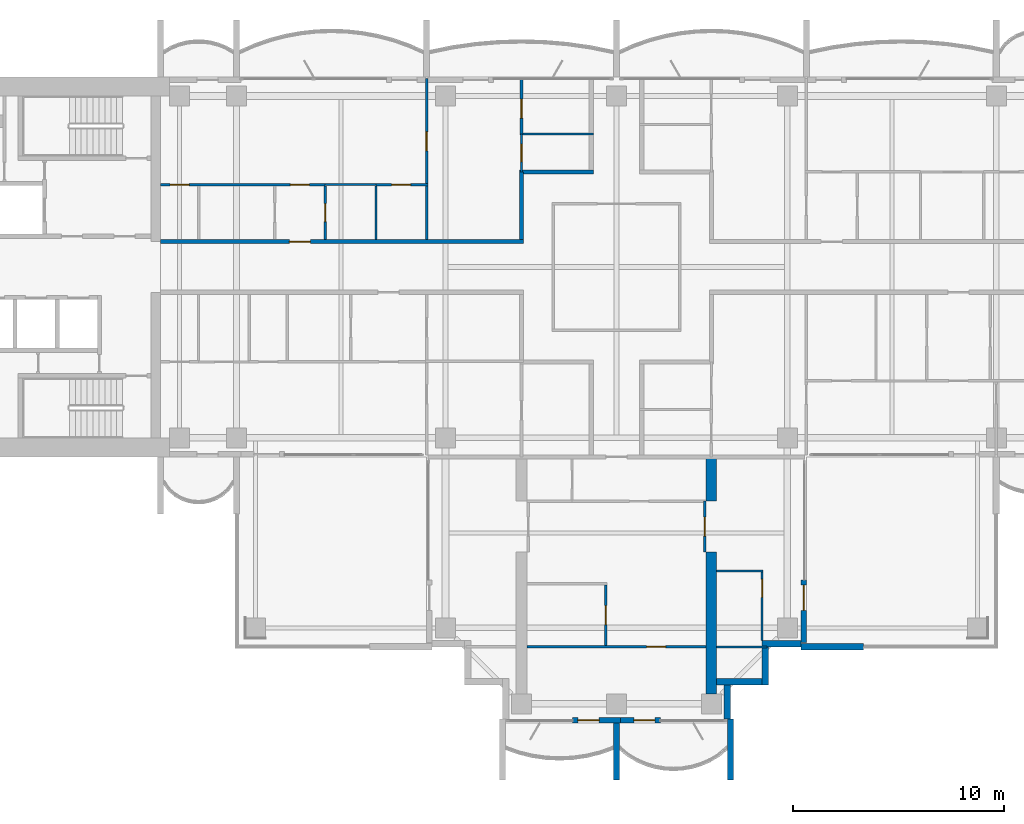
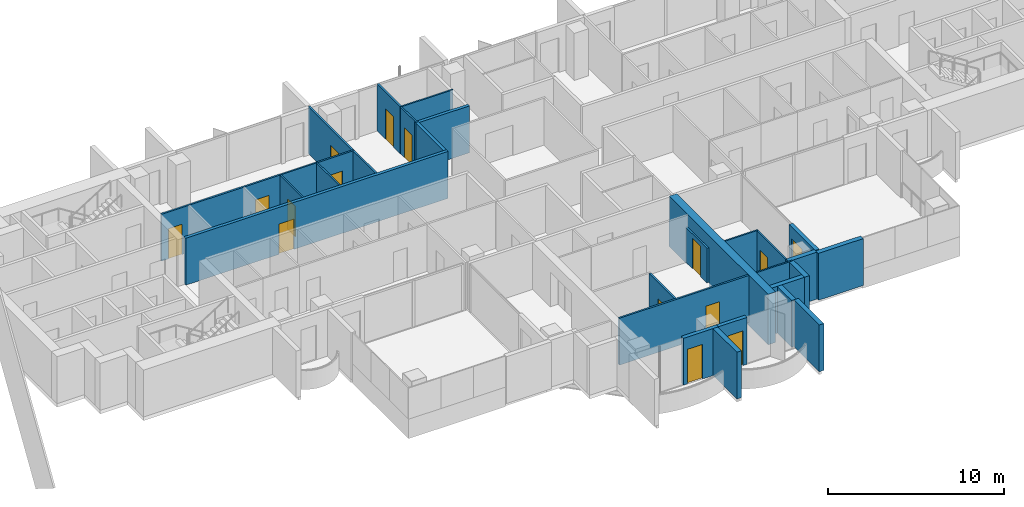
# One storey, part 10 of 18: 29 walls, 15 doors, 15 openings.
"""IFC4 building model written with IfcOpenShell, lengths in metres."""

from ifc_helpers import new_model, si_unit, direction, frame, frame_2d, origin, place, context, subcontext, project, spatial, polyline, rectangle, outline, extrude, material, layer, layer_set, material_profile, profile_set, type_object, element, fill, save


model = new_model("IFC4")

# Units and contexts
model_context = context("Model", 3, precision=1e-05, world=origin(), true_north=direction((0.0, 1.0)))
body_context = subcontext(model_context, "Body", "Model", "MODEL_VIEW")
ifc_project = project(units=[si_unit("LENGTHUNIT", "METRE"), si_unit("AREAUNIT", "SQUARE_METRE"), si_unit("VOLUMEUNIT", "CUBIC_METRE"), si_unit("PLANEANGLEUNIT", "RADIAN"), si_unit("MASSUNIT", "GRAM", prefix="KILO")], contexts=[model_context])

# Site, building, storey
site_placement = place(None, origin())
site = spatial("IfcSite", under=ifc_project, at=site_placement, CompositionType="ELEMENT")
building_placement = place(site_placement, origin())
building = spatial("IfcBuilding", under=site, at=building_placement, Name="Perihelion Cross Residences", CompositionType="ELEMENT")
storey_placement = place(building_placement, frame((0.0, 0.0, 215.60009765625)))
storey = spatial("IfcBuildingStorey", under=building, at=storey_placement, Name="L54", CompositionType="ELEMENT", Elevation=215.60009765625)

# Wall, opening, door
ifc_material_1 = material(Name="Plasterboard partition")
ifc_layer_1 = layer(ifc_material_1, 0.199951171875)
ifc_layer_set_1 = layer_set([ifc_layer_1], Name="Apartment separation wall 200")
wall_type_1 = type_object("IfcWallType", Name="Apartment separation wall 200", PredefinedType="PARTITIONING", material=ifc_layer_set_1)
wall_1_placement = place(storey_placement, frame((-21.60009765625, 1.199951171875, 0.0), z_axis=(0.0, 0.0, 1.0), x_axis=(1.0, 0.0, 0.0)))
wall_1 = element("IfcWall", 1, at=wall_1_placement, inside=storey, type_object=wall_type_1, Name="Partition L54 W013", PredefinedType="PARTITIONING", context=body_context, shape_type="SweptSolid", body=[
    extrude(rectangle(XDim=17.2001953125, YDim=0.199951171875, at=frame_2d((8.60009765625, 0.0))), origin(), (0.0, 0.0, 1.0), 3.25),
])
opening_1_placement = place(wall_1_placement, frame((6.10009765625, 0.0, 0.0)))
opening_1 = element("IfcOpeningElement", 2, at=opening_1_placement, cuts=wall_1, Name="Opening L54.A43", PredefinedType="OPENING", context=body_context, shape_type="SweptSolid", body=[
    extrude(rectangle(XDim=1.0, YDim=2.10009765625, at=frame_2d((0.5, 1.050048828125))), frame((0.0, 0.10986328125, 0.0), z_axis=(0.0, -1.0, 0.0), x_axis=(1.0, 0.0, 0.0)), (0.0, 0.0, 1.0), 0.219970703125),
])
ifc_material_2 = material(Name="Timber door leaf", Category="wood")
door_type_1 = type_object("IfcDoorType", Name="Flat entrance door 1000 x 2100", OperationType="SINGLE_SWING_LEFT", PredefinedType="DOOR", material=ifc_material_2)
door_1_placement = place(opening_1_placement, origin())
door_1 = element("IfcDoor", 3, at=door_1_placement, inside=storey, type_object=door_type_1, Name="Door L54.A43", OperationType="SINGLE_SWING_LEFT", OverallHeight=2.10009765625, OverallWidth=1.0, PredefinedType="DOOR", context=body_context, shape_type="SweptSolid", body=[
    extrude(rectangle(XDim=1.0, YDim=2.10009765625, at=frame_2d((0.5, 1.050048828125))), frame((0.0, 0.02490234375, 0.0), z_axis=(0.0, -1.0, 0.0), x_axis=(1.0, 0.0, 0.0)), (0.0, 0.0, 1.0), 0.050048828125),
])
fill(opening_1, door_1)

# Walls
wall_2_placement = place(storey_placement, frame((-4.5, 1.300048828125, 0.0), z_axis=(0.0, 0.0, 1.0), x_axis=(0.0, 1.0, 0.0)))
element("IfcWall", 4, at=wall_2_placement, inside=storey, type_object=wall_type_1, Name="Partition L54 W014", PredefinedType="PARTITIONING", context=body_context, shape_type="SweptSolid", body=[
    extrude(rectangle(XDim=3.199951171875, YDim=0.199951171875, at=frame_2d((1.60009765625, 0.0))), origin(), (0.0, 0.0, 1.0), 3.25),
])
wall_3_placement = place(storey_placement, frame((-4.60009765625, 4.5, 0.0), z_axis=(0.0, 0.0, 1.0), x_axis=(1.0, 0.0, 0.0)))
element("IfcWall", 5, at=wall_3_placement, inside=storey, type_object=wall_type_1, Name="Partition L54 W015", PredefinedType="PARTITIONING", context=body_context, shape_type="SweptSolid", body=[
    extrude(rectangle(XDim=3.5, YDim=0.199951171875, at=frame_2d((1.75, 0.0))), origin(), (0.0, 0.0, 1.0), 3.25),
])

# Wall, opening, door
ifc_material_3 = material(Name="Concrete C30/37, bronze-clad", Category="concrete")
ifc_layer_2 = layer(ifc_material_3, 0.25)
ifc_layer_set_2 = layer_set([ifc_layer_2], Name="Bronze-clad pier wall 250")
wall_type_2 = type_object("IfcWallType", Name="Bronze-clad pier wall 250", PredefinedType="SOLIDWALL", material=ifc_layer_set_2)
wall_4_placement = place(storey_placement, frame((-2.074951171875, -21.47509765625, 0.0), z_axis=(0.0, 0.0, 1.0), x_axis=(1.0, 0.0, 0.0)))
wall_4 = element("IfcWall", 6, at=wall_4_placement, inside=storey, type_object=wall_type_2, Name="Wall FW1 L54 south tip south bay 1 pier", PredefinedType="SOLIDWALL", context=body_context, shape_type="SweptSolid", body=[
    extrude(rectangle(XDim=2.27490234375, YDim=0.25, at=frame_2d((1.137451171875, 0.0))), origin(), (0.0, 0.0, 1.0), 3.25),
])
opening_2_placement = place(wall_4_placement, frame((0.25, 0.0, 0.0)))
opening_2 = element("IfcOpeningElement", 7, at=opening_2_placement, cuts=wall_4, Name="Opening L54.E10", PredefinedType="OPENING", context=body_context, shape_type="SweptSolid", body=[
    extrude(rectangle(XDim=1.0, YDim=2.39990234375, at=frame_2d((0.5, 1.199951171875))), frame((0.0, 0.135009765625, 0.0), z_axis=(0.0, -1.0, 0.0), x_axis=(1.0, 0.0, 0.0)), (0.0, 0.0, 1.0), 0.27001953125),
])
ifc_material_4 = material(Name="Bronze anodised aluminium, glazed", Category="aluminium")
door_type_2 = type_object("IfcDoorType", Name="Balcony door 1000 x 2400", OperationType="NOTDEFINED", PredefinedType="DOOR", material=ifc_material_4)
door_2_placement = place(opening_2_placement, origin())
door_2 = element("IfcDoor", 8, at=door_2_placement, inside=storey, type_object=door_type_2, Name="Door L54.E10 south tip south bay 1", OperationType="SINGLE_SWING_RIGHT", OverallHeight=2.39990234375, OverallWidth=1.0, PredefinedType="DOOR", context=body_context, shape_type="SweptSolid", body=[
    extrude(rectangle(XDim=1.0, YDim=2.39990234375, at=frame_2d((0.5, 1.199951171875))), frame((0.0, 0.02490234375, 0.0), z_axis=(0.0, -1.0, 0.0), x_axis=(1.0, 0.0, 0.0)), (0.0, 0.0, 1.0), 0.050048828125),
])
fill(opening_2, door_2)

wall_5_placement = place(storey_placement, frame((0.199951171875, -21.47509765625, 0.0), z_axis=(0.0, 0.0, 1.0), x_axis=(1.0, 0.0, 0.0)))
wall_5 = element("IfcWall", 9, at=wall_5_placement, inside=storey, type_object=wall_type_2, Name="Wall FW1 L54 south tip south bay 2 pier", PredefinedType="SOLIDWALL", context=body_context, shape_type="SweptSolid", body=[
    extrude(rectangle(XDim=1.875, YDim=0.25, at=frame_2d((0.9375, 0.0))), origin(), (0.0, 0.0, 1.0), 3.25),
])
opening_3_placement = place(wall_5_placement, frame((0.625, 0.0, 0.0)))
opening_3 = element("IfcOpeningElement", 10, at=opening_3_placement, cuts=wall_5, Name="Opening L54.E11", PredefinedType="OPENING", context=body_context, shape_type="SweptSolid", body=[
    extrude(rectangle(XDim=1.0, YDim=2.39990234375, at=frame_2d((0.5, 1.199951171875))), frame((0.0, 0.135009765625, 0.0), z_axis=(0.0, -1.0, 0.0), x_axis=(1.0, 0.0, 0.0)), (0.0, 0.0, 1.0), 0.27001953125),
])
door_3_placement = place(opening_3_placement, origin())
door_3 = element("IfcDoor", 11, at=door_3_placement, inside=storey, type_object=door_type_2, Name="Door L54.E11 south tip south bay 2", OperationType="SINGLE_SWING_LEFT", OverallHeight=2.39990234375, OverallWidth=1.0, PredefinedType="DOOR", context=body_context, shape_type="SweptSolid", body=[
    extrude(rectangle(XDim=1.0, YDim=2.39990234375, at=frame_2d((0.5, 1.199951171875))), frame((0.0, 0.02490234375, 0.0), z_axis=(0.0, -1.0, 0.0), x_axis=(1.0, 0.0, 0.0)), (0.0, 0.0, 1.0), 0.050048828125),
])
fill(opening_3, door_3)

wall_6_placement = place(storey_placement, frame((8.875, -17.800048828125, 0.0), z_axis=(0.0, 0.0, 1.0), x_axis=(0.0, 1.0, 0.0)))
wall_6 = element("IfcWall", 12, at=wall_6_placement, inside=storey, type_object=wall_type_2, Name="Wall FW1 L54 south side east bay 1 pier", PredefinedType="SOLIDWALL", context=body_context, shape_type="SweptSolid", body=[
    extrude(rectangle(XDim=2.97509765625, YDim=0.25, at=frame_2d((1.487548828125, 0.0))), origin(), (0.0, 0.0, 1.0), 3.25),
])
opening_4_placement = place(wall_6_placement, frame((1.52490234375, 0.0, 0.0)))
opening_4 = element("IfcOpeningElement", 13, at=opening_4_placement, cuts=wall_6, Name="Opening L54.E12", PredefinedType="OPENING", context=body_context, shape_type="SweptSolid", body=[
    extrude(rectangle(XDim=1.199951171875, YDim=2.39990234375, at=frame_2d((0.60009765625, 1.199951171875))), frame((0.0, 0.135009765625, 0.0), z_axis=(0.0, -1.0, 0.0), x_axis=(1.0, 0.0, 0.0)), (0.0, 0.0, 1.0), 0.27001953125),
])
ifc_material_5 = material(Name="Bronze anodised aluminium, glazed", Category="aluminium")
door_type_3 = type_object("IfcDoorType", Name="Balcony door 1200 x 2400", OperationType="NOTDEFINED", PredefinedType="DOOR", material=ifc_material_5)
door_4_placement = place(opening_4_placement, origin())
door_4 = element("IfcDoor", 14, at=door_4_placement, inside=storey, type_object=door_type_3, Name="Door L54.E12 south side east bay 1", OperationType="SINGLE_SWING_RIGHT", OverallHeight=2.39990234375, OverallWidth=1.199951171875, PredefinedType="DOOR", context=body_context, shape_type="SweptSolid", body=[
    extrude(rectangle(XDim=1.199951171875, YDim=2.39990234375, at=frame_2d((0.60009765625, 1.199951171875))), frame((0.0, 0.02490234375, 0.0), z_axis=(0.0, -1.0, 0.0), x_axis=(1.0, 0.0, 0.0)), (0.0, 0.0, 1.0), 0.050048828125),
])
fill(opening_4, door_4)

# Walls
ifc_material_6 = material(Name="Concrete C30/37, bronze-clad", Category="concrete")
ifc_layer_3 = layer(ifc_material_6, 0.300048828125)
ifc_layer_set_3 = layer_set([ifc_layer_3], Name="Bronze-clad serration wall 300")
wall_type_3 = type_object("IfcWallType", Name="Bronze-clad serration wall 300", PredefinedType="SOLIDWALL", material=ifc_layer_set_3)
wall_7_placement = place(storey_placement, frame((5.25, -21.419921875, 0.0), z_axis=(0.0, 0.0, 1.0), x_axis=(0.0, 1.0, 0.0)))
element("IfcWall", 15, at=wall_7_placement, inside=storey, type_object=wall_type_3, Name="Wall SR1 L54 south corner south-east 1", PredefinedType="SOLIDWALL", context=body_context, shape_type="SweptSolid", body=[
    extrude(rectangle(XDim=1.619873046875, YDim=0.300048828125, at=frame_2d((0.81005859375, 0.0))), origin(), (0.0, 0.0, 1.0), 3.25),
])
wall_8_placement = place(storey_placement, frame((4.75, -19.64990234375, 0.0), z_axis=(0.0, 0.0, 1.0), x_axis=(1.0, 0.0, 0.0)))
element("IfcWall", 16, at=wall_8_placement, inside=storey, type_object=wall_type_3, Name="Wall SR1 L54 south corner south-east 2", PredefinedType="SOLIDWALL", context=body_context, shape_type="SweptSolid", body=[
    extrude(rectangle(XDim=2.14990234375, YDim=0.300048828125, at=frame_2d((1.074951171875, 0.0))), origin(), (0.0, 0.0, 1.0), 3.25),
])
wall_9_placement = place(storey_placement, frame((7.050048828125, -19.800048828125, 0.0), z_axis=(0.0, 0.0, 1.0), x_axis=(0.0, 1.0, 0.0)))
element("IfcWall", 17, at=wall_9_placement, inside=storey, type_object=wall_type_3, Name="Wall SR1 L54 south corner south-east 3", PredefinedType="SOLIDWALL", context=body_context, shape_type="SweptSolid", body=[
    extrude(rectangle(XDim=1.800048828125, YDim=0.300048828125, at=frame_2d((0.89990234375, 0.0))), origin(), (0.0, 0.0, 1.0), 3.25),
])
wall_10_placement = place(storey_placement, frame((6.89990234375, -17.85009765625, 0.0), z_axis=(0.0, 0.0, 1.0), x_axis=(1.0, 0.0, 0.0)))
element("IfcWall", 18, at=wall_10_placement, inside=storey, type_object=wall_type_3, Name="Wall SR1 L54 south corner south-east 4", PredefinedType="SOLIDWALL", context=body_context, shape_type="SweptSolid", body=[
    extrude(rectangle(XDim=1.85009765625, YDim=0.300048828125, at=frame_2d((0.925048828125, 0.0))), origin(), (0.0, 0.0, 1.0), 3.25),
])

# Wall, opening, door
ifc_material_7 = material(Name="Plasterboard partition")
ifc_layer_4 = layer(ifc_material_7, 0.1201171875)
ifc_layer_set_4 = layer_set([ifc_layer_4], Name="Infill panel 120")
wall_type_4 = type_object("IfcWallType", Name="Infill panel 120", PredefinedType="PARTITIONING", material=ifc_layer_set_4)
wall_11_placement = place(storey_placement, frame((4.18994140625, -11.10009765625, 0.0), z_axis=(0.0, 0.0, 1.0), x_axis=(0.0, -1.0, 0.0)))
wall_11 = element("IfcWall", 19, at=wall_11_placement, inside=storey, type_object=wall_type_4, Name="Partition L54 WI01", PredefinedType="PARTITIONING", context=body_context, shape_type="SweptSolid", body=[
    extrude(rectangle(XDim=2.39990234375, YDim=0.1201171875, at=frame_2d((1.199951171875, 0.0))), origin(), (0.0, 0.0, 1.0), 2.39990234375),
])
opening_5_placement = place(wall_11_placement, frame((0.75, 0.0, 0.0)))
opening_5 = element("IfcOpeningElement", 20, at=opening_5_placement, cuts=wall_11, Name="Opening L54.A45", PredefinedType="OPENING", context=body_context, shape_type="SweptSolid", body=[
    extrude(rectangle(XDim=0.89990234375, YDim=2.10009765625, at=frame_2d((0.449951171875, 1.050048828125))), frame((0.0, 0.070068359375, 0.0), z_axis=(0.0, -1.0, 0.0), x_axis=(1.0, 0.0, 0.0)), (0.0, 0.0, 1.0), 0.14013671875),
])
ifc_material_8 = material(Name="Timber door leaf", Category="wood")
door_type_4 = type_object("IfcDoorType", Name="Interior room door 900 x 2100", OperationType="SINGLE_SWING_LEFT", PredefinedType="DOOR", material=ifc_material_8)
door_5_placement = place(opening_5_placement, origin())
door_5 = element("IfcDoor", 21, at=door_5_placement, inside=storey, type_object=door_type_4, Name="Door L54.A45", OperationType="SINGLE_SWING_RIGHT", OverallHeight=2.10009765625, OverallWidth=0.89990234375, PredefinedType="DOOR", context=body_context, shape_type="SweptSolid", body=[
    extrude(rectangle(XDim=0.89990234375, YDim=2.10009765625, at=frame_2d((0.449951171875, 1.050048828125))), frame((0.0, 0.02490234375, 0.0), z_axis=(0.0, -1.0, 0.0), x_axis=(1.0, 0.0, 0.0)), (0.0, 0.0, 1.0), 0.050048828125),
])
fill(opening_5, door_5)

ifc_material_9 = material(Name="Plasterboard partition")
ifc_layer_5 = layer(ifc_material_9, 0.1201171875)
ifc_layer_set_5 = layer_set([ifc_layer_5], Name="Partition wall 120")
wall_type_5 = type_object("IfcWallType", Name="Partition wall 120", PredefinedType="PARTITIONING", material=ifc_layer_set_5)
wall_12_placement = place(storey_placement, frame((-11.39990234375, 3.89990234375, 0.0), z_axis=(0.0, 0.0, 1.0), x_axis=(1.0, 0.0, 0.0)))
wall_12 = element("IfcWall", 22, at=wall_12_placement, inside=storey, type_object=wall_type_5, Name="Partition L54 W048", PredefinedType="PARTITIONING", context=body_context, shape_type="SweptSolid", body=[
    extrude(rectangle(XDim=2.4599609375, YDim=0.1201171875, at=frame_2d((1.22998046875, 0.0))), origin(), (0.0, 0.0, 1.0), 3.25),
])
opening_6_placement = place(wall_12_placement, frame((0.75, 0.0, 0.0)))
opening_6 = element("IfcOpeningElement", 23, at=opening_6_placement, cuts=wall_12, Name="Opening L54.A26", PredefinedType="OPENING", context=body_context, shape_type="SweptSolid", body=[
    extrude(rectangle(XDim=0.89990234375, YDim=2.10009765625, at=frame_2d((0.449951171875, 1.050048828125))), frame((0.0, 0.070068359375, 0.0), z_axis=(0.0, -1.0, 0.0), x_axis=(1.0, 0.0, 0.0)), (0.0, 0.0, 1.0), 0.14013671875),
])
door_6_placement = place(opening_6_placement, origin())
door_6 = element("IfcDoor", 24, at=door_6_placement, inside=storey, type_object=door_type_4, Name="Door L54.A26", OperationType="SINGLE_SWING_LEFT", OverallHeight=2.10009765625, OverallWidth=0.89990234375, PredefinedType="DOOR", context=body_context, shape_type="SweptSolid", body=[
    extrude(rectangle(XDim=0.89990234375, YDim=2.10009765625, at=frame_2d((0.449951171875, 1.050048828125))), frame((0.0, 0.02490234375, 0.0), z_axis=(0.0, -1.0, 0.0), x_axis=(1.0, 0.0, 0.0)), (0.0, 0.0, 1.0), 0.050048828125),
])
fill(opening_6, door_6)

wall_13_placement = place(storey_placement, frame((-9.0, 8.919921875, 0.0), z_axis=(0.0, 0.0, 1.0), x_axis=(0.0, -1.0, 0.0)))
wall_13 = element("IfcWall", 25, at=wall_13_placement, inside=storey, type_object=wall_type_5, Name="Partition L54 W049", PredefinedType="PARTITIONING", context=body_context, shape_type="SweptSolid", body=[
    extrude(rectangle(XDim=7.619873046875, YDim=0.1201171875, at=frame_2d((3.81005859375, 0.0))), origin(), (0.0, 0.0, 1.0), 3.25),
])
opening_7_placement = place(wall_13_placement, frame((2.52001953125, 0.0, 0.0)))
opening_7 = element("IfcOpeningElement", 26, at=opening_7_placement, cuts=wall_13, Name="Opening L54.A22", PredefinedType="OPENING", context=body_context, shape_type="SweptSolid", body=[
    extrude(rectangle(XDim=0.89990234375, YDim=2.10009765625, at=frame_2d((0.449951171875, 1.050048828125))), frame((0.0, 0.070068359375, 0.0), z_axis=(0.0, -1.0, 0.0), x_axis=(1.0, 0.0, 0.0)), (0.0, 0.0, 1.0), 0.14013671875),
])
door_7_placement = place(opening_7_placement, origin())
door_7 = element("IfcDoor", 27, at=door_7_placement, inside=storey, type_object=door_type_4, Name="Door L54.A22", OperationType="SINGLE_SWING_RIGHT", OverallHeight=2.10009765625, OverallWidth=0.89990234375, PredefinedType="DOOR", context=body_context, shape_type="SweptSolid", body=[
    extrude(rectangle(XDim=0.89990234375, YDim=2.10009765625, at=frame_2d((0.449951171875, 1.050048828125))), frame((0.0, 0.02490234375, 0.0), z_axis=(0.0, -1.0, 0.0), x_axis=(1.0, 0.0, 0.0)), (0.0, 0.0, 1.0), 0.050048828125),
])
fill(opening_7, door_7)

# Wall, openings, doors
wall_14_placement = place(storey_placement, frame((-21.60009765625, 3.89990234375, 0.0), z_axis=(0.0, 0.0, 1.0), x_axis=(1.0, 0.0, 0.0)))
wall_14 = element("IfcWall", 28, at=wall_14_placement, inside=storey, type_object=wall_type_5, Name="Partition L54 W053", PredefinedType="PARTITIONING", context=body_context, shape_type="SweptSolid", body=[
    extrude(rectangle(XDim=7.800048828125, YDim=0.1201171875, at=frame_2d((3.89990234375, 0.0))), origin(), (0.0, 0.0, 1.0), 3.25),
])
opening_8_placement = place(wall_14_placement, frame((0.449951171875, 0.0, 0.0)))
opening_8 = element("IfcOpeningElement", 29, at=opening_8_placement, cuts=wall_14, Name="Opening L54.A21", PredefinedType="OPENING", context=body_context, shape_type="SweptSolid", body=[
    extrude(rectangle(XDim=0.89990234375, YDim=2.10009765625, at=frame_2d((0.449951171875, 1.050048828125))), frame((0.0, 0.070068359375, 0.0), z_axis=(0.0, -1.0, 0.0), x_axis=(1.0, 0.0, 0.0)), (0.0, 0.0, 1.0), 0.14013671875),
])
opening_9_placement = place(wall_14_placement, frame((6.14990234375, 0.0, 0.0)))
opening_9 = element("IfcOpeningElement", 30, at=opening_9_placement, cuts=wall_14, Name="Opening L54.A25", PredefinedType="OPENING", context=body_context, shape_type="SweptSolid", body=[
    extrude(rectangle(XDim=0.89990234375, YDim=2.10009765625, at=frame_2d((0.449951171875, 1.050048828125))), frame((0.0, 0.070068359375, 0.0), z_axis=(0.0, -1.0, 0.0), x_axis=(1.0, 0.0, 0.0)), (0.0, 0.0, 1.0), 0.14013671875),
])
door_8_placement = place(opening_8_placement, origin())
door_8 = element("IfcDoor", 31, at=door_8_placement, inside=storey, type_object=door_type_4, Name="Door L54.A21", OperationType="SINGLE_SWING_RIGHT", OverallHeight=2.10009765625, OverallWidth=0.89990234375, PredefinedType="DOOR", context=body_context, shape_type="SweptSolid", body=[
    extrude(rectangle(XDim=0.89990234375, YDim=2.10009765625, at=frame_2d((0.449951171875, 1.050048828125))), frame((0.0, 0.02490234375, 0.0), z_axis=(0.0, -1.0, 0.0), x_axis=(1.0, 0.0, 0.0)), (0.0, 0.0, 1.0), 0.050048828125),
])
fill(opening_8, door_8)
door_9_placement = place(opening_9_placement, origin())
door_9 = element("IfcDoor", 32, at=door_9_placement, inside=storey, type_object=door_type_4, Name="Door L54.A25", OperationType="SINGLE_SWING_RIGHT", OverallHeight=2.10009765625, OverallWidth=0.89990234375, PredefinedType="DOOR", context=body_context, shape_type="SweptSolid", body=[
    extrude(rectangle(XDim=0.89990234375, YDim=2.10009765625, at=frame_2d((0.449951171875, 1.050048828125))), frame((0.0, 0.02490234375, 0.0), z_axis=(0.0, -1.0, 0.0), x_axis=(1.0, 0.0, 0.0)), (0.0, 0.0, 1.0), 0.050048828125),
])
fill(opening_9, door_9)

# Wall, opening, door
wall_15_placement = place(storey_placement, frame((-4.5, 8.919921875, 0.0), z_axis=(0.0, 0.0, 1.0), x_axis=(0.0, -1.0, 0.0)))
wall_15 = element("IfcWall", 33, at=wall_15_placement, inside=storey, type_object=wall_type_5, Name="Partition L54 W056", PredefinedType="PARTITIONING", context=body_context, shape_type="SweptSolid", body=[
    extrude(rectangle(XDim=2.619873046875, YDim=0.1201171875, at=frame_2d((1.31005859375, 0.0))), origin(), (0.0, 0.0, 1.0), 3.25),
])
opening_10_placement = place(wall_15_placement, frame((0.969970703125, 0.0, 0.0)))
opening_10 = element("IfcOpeningElement", 34, at=opening_10_placement, cuts=wall_15, Name="Opening L54.A23", PredefinedType="OPENING", context=body_context, shape_type="SweptSolid", body=[
    extrude(rectangle(XDim=0.89990234375, YDim=2.10009765625, at=frame_2d((0.449951171875, 1.050048828125))), frame((0.0, 0.070068359375, 0.0), z_axis=(0.0, -1.0, 0.0), x_axis=(1.0, 0.0, 0.0)), (0.0, 0.0, 1.0), 0.14013671875),
])
door_10_placement = place(opening_10_placement, origin())
door_10 = element("IfcDoor", 35, at=door_10_placement, inside=storey, type_object=door_type_4, Name="Door L54.A23", OperationType="SINGLE_SWING_LEFT", OverallHeight=2.10009765625, OverallWidth=0.89990234375, PredefinedType="DOOR", context=body_context, shape_type="SweptSolid", body=[
    extrude(rectangle(XDim=0.89990234375, YDim=2.10009765625, at=frame_2d((0.449951171875, 1.050048828125))), frame((0.0, 0.02490234375, 0.0), z_axis=(0.0, -1.0, 0.0), x_axis=(1.0, 0.0, 0.0)), (0.0, 0.0, 1.0), 0.050048828125),
])
fill(opening_10, door_10)

wall_16_placement = place(storey_placement, frame((-0.5, -17.93994140625, 0.0), z_axis=(0.0, 0.0, 1.0), x_axis=(0.0, 1.0, 0.0)))
wall_16 = element("IfcWall", 36, at=wall_16_placement, inside=storey, type_object=wall_type_5, Name="Partition L54 W072", PredefinedType="PARTITIONING", context=body_context, shape_type="SweptSolid", body=[
    extrude(rectangle(XDim=2.8798828125, YDim=0.1201171875, at=frame_2d((1.43994140625, 0.0))), origin(), (0.0, 0.0, 1.0), 3.25),
])
opening_11_placement = place(wall_16_placement, frame((0.989990234375, 0.0, 0.0)))
opening_11 = element("IfcOpeningElement", 37, at=opening_11_placement, cuts=wall_16, Name="Opening L54.A38", PredefinedType="OPENING", context=body_context, shape_type="SweptSolid", body=[
    extrude(rectangle(XDim=0.89990234375, YDim=2.10009765625, at=frame_2d((0.449951171875, 1.050048828125))), frame((0.0, 0.070068359375, 0.0), z_axis=(0.0, -1.0, 0.0), x_axis=(1.0, 0.0, 0.0)), (0.0, 0.0, 1.0), 0.14013671875),
])
door_11_placement = place(opening_11_placement, origin())
door_11 = element("IfcDoor", 38, at=door_11_placement, inside=storey, type_object=door_type_4, Name="Door L54.A38", OperationType="SINGLE_SWING_RIGHT", OverallHeight=2.10009765625, OverallWidth=0.89990234375, PredefinedType="DOOR", context=body_context, shape_type="SweptSolid", body=[
    extrude(rectangle(XDim=0.89990234375, YDim=2.10009765625, at=frame_2d((0.449951171875, 1.050048828125))), frame((0.0, 0.02490234375, 0.0), z_axis=(0.0, -1.0, 0.0), x_axis=(1.0, 0.0, 0.0)), (0.0, 0.0, 1.0), 0.050048828125),
])
fill(opening_11, door_11)

wall_17_placement = place(storey_placement, frame((4.25, -18.0, 0.0), z_axis=(0.0, 0.0, 1.0), x_axis=(-1.0, 0.0, 0.0)))
wall_17 = element("IfcWall", 39, at=wall_17_placement, inside=storey, type_object=wall_type_5, Name="Partition L54 W074", PredefinedType="PARTITIONING", context=body_context, shape_type="SweptSolid", body=[
    extrude(rectangle(XDim=8.5, YDim=0.1201171875, at=frame_2d((4.25, 0.0))), origin(), (0.0, 0.0, 1.0), 3.25),
])
opening_12_placement = place(wall_17_placement, frame((1.925048828125, 0.0, 0.0)))
opening_12 = element("IfcOpeningElement", 40, at=opening_12_placement, cuts=wall_17, Name="Opening L54.A39", PredefinedType="OPENING", context=body_context, shape_type="SweptSolid", body=[
    extrude(rectangle(XDim=0.89990234375, YDim=2.10009765625, at=frame_2d((0.449951171875, 1.050048828125))), frame((0.0, 0.070068359375, 0.0), z_axis=(0.0, -1.0, 0.0), x_axis=(1.0, 0.0, 0.0)), (0.0, 0.0, 1.0), 0.14013671875),
])
door_12_placement = place(opening_12_placement, origin())
door_12 = element("IfcDoor", 41, at=door_12_placement, inside=storey, type_object=door_type_4, Name="Door L54.A39", OperationType="SINGLE_SWING_RIGHT", OverallHeight=2.10009765625, OverallWidth=0.89990234375, PredefinedType="DOOR", context=body_context, shape_type="SweptSolid", body=[
    extrude(rectangle(XDim=0.89990234375, YDim=2.10009765625, at=frame_2d((0.449951171875, 1.050048828125))), frame((0.0, 0.02490234375, 0.0), z_axis=(0.0, -1.0, 0.0), x_axis=(1.0, 0.0, 0.0)), (0.0, 0.0, 1.0), 0.050048828125),
])
fill(opening_12, door_12)

# Walls
ifc_material_10 = material(Name="Precast concrete C50/60", Category="concrete")
ifc_layer_6 = layer(ifc_material_10, 0.300048828125)
ifc_layer_set_6 = layer_set([ifc_layer_6], Name="Precast concrete C50/60 blade wall 300")
wall_type_6 = type_object("IfcWallType", Name="Precast concrete C50/60 blade wall 300", PredefinedType="SOLIDWALL", material=ifc_layer_set_6)
wall_18_placement = place(storey_placement, frame((0.0, -21.60009765625, 0.0), z_axis=(0.0, 0.0, 1.0), x_axis=(0.0, -1.0, 0.0)))
element("IfcWall", 42, at=wall_18_placement, inside=storey, type_object=wall_type_6, Name="Wall BL1 L54 no. 8", PredefinedType="SOLIDWALL", context=body_context, shape_type="SweptSolid", body=[
    extrude(rectangle(XDim=2.699951171875, YDim=0.300048828125, at=frame_2d((1.35009765625, 0.0))), origin(), (0.0, 0.0, 1.0), 3.25),
])
wall_19_placement = place(storey_placement, frame((5.39990234375, -21.419921875, 0.0), z_axis=(0.0, 0.0, 1.0), x_axis=(0.0, -1.0, 0.0)))
element("IfcWall", 43, at=wall_19_placement, inside=storey, type_object=wall_type_6, Name="Wall BL1 L54 no. 14", PredefinedType="SOLIDWALL", context=body_context, shape_type="SweptSolid", body=[
    extrude(rectangle(XDim=2.880126953125, YDim=0.300048828125, at=frame_2d((1.43994140625, 0.0))), origin(), (0.0, 0.0, 1.0), 3.25),
])
wall_20_placement = place(storey_placement, frame((8.75, -18.0, 0.0), z_axis=(0.0, 0.0, 1.0), x_axis=(1.0, 0.0, 0.0)))
element("IfcWall", 44, at=wall_20_placement, inside=storey, type_object=wall_type_6, Name="Wall BL1 L54 no. 15", PredefinedType="SOLIDWALL", context=body_context, shape_type="SweptSolid", body=[
    extrude(rectangle(XDim=2.949951171875, YDim=0.300048828125, at=frame_2d((1.47509765625, 0.0))), origin(), (0.0, 0.0, 1.0), 3.25),
])
ifc_material_11 = material(Name="Concrete C60/75", Category="concrete")
ifc_material_profile = material_profile(ifc_material_11, outline(polyline([(0.0, 0.0), (6.72509765625, 0.0), (6.72509765625, 2.64990234375), (9.125, 2.64990234375), (9.125, 0.0), (11.22509765625, 0.0), (11.22509765625, 3.5), (0.0, 3.5), (0.0, 0.0)])), Name="Tip spine wall")
ifc_profile_set = profile_set([ifc_material_profile], Name="Concrete C60/75")
wall_type_7 = type_object("IfcWallType", Name="Tip spine wall 500 with 1 door openings 11225 long 3500 high concrete C60/75", PredefinedType="SHEAR", material=ifc_profile_set)
wall_21_placement = place(storey_placement, frame((4.25, -20.22509765625, -0.25), z_axis=(1.0, 0.0, 0.0), x_axis=(0.0, 1.0, 0.0)))
element("IfcWall", 45, at=wall_21_placement, inside=storey, type_object=wall_type_7, Name="Shear wall SW41 L54 south east", PredefinedType="SHEAR", context=body_context, shape_type="SweptSolid", body=[
    extrude(outline(polyline([(0.0, 0.0), (6.72509765625, 0.0), (6.72509765625, 2.64990234375), (9.125, 2.64990234375), (9.125, 0.0), (11.22509765625, 0.0), (11.22509765625, 3.5), (0.0, 3.5), (0.0, 0.0)])), origin(), (0.0, 0.0, 1.0), 0.5),
])
ifc_material_12 = material(Name="Plasterboard partition")
ifc_layer_7 = layer(ifc_material_12, 0.10009765625)
ifc_layer_set_7 = layer_set([ifc_layer_7], Name="Wet room wall 100")
wall_type_8 = type_object("IfcWallType", Name="Wet room wall 100", PredefinedType="PARTITIONING", material=ifc_layer_set_7)
wall_22_placement = place(storey_placement, frame((-11.39990234375, 1.300048828125, 0.0), z_axis=(0.0, 0.0, 1.0), x_axis=(0.0, 1.0, 0.0)))
element("IfcWall", 46, at=wall_22_placement, inside=storey, type_object=wall_type_8, Name="Partition L54 W047", PredefinedType="PARTITIONING", context=body_context, shape_type="SweptSolid", body=[
    extrude(rectangle(XDim=2.5400390625, YDim=0.10009765625, at=frame_2d((1.27001953125, 0.0))), origin(), (0.0, 0.0, 1.0), 3.25),
])

# Wall, opening, door
wall_23_placement = place(storey_placement, frame((-13.800048828125, 1.300048828125, 0.0), z_axis=(0.0, 0.0, 1.0), x_axis=(0.0, 1.0, 0.0)))
wall_23 = element("IfcWall", 47, at=wall_23_placement, inside=storey, type_object=wall_type_8, Name="Partition L54 W050", PredefinedType="PARTITIONING", context=body_context, shape_type="SweptSolid", body=[
    extrude(rectangle(XDim=2.5400390625, YDim=0.10009765625, at=frame_2d((1.27001953125, 0.0))), origin(), (0.0, 0.0, 1.0), 3.25),
])
opening_13_placement = place(wall_23_placement, frame((0.844970703125, 0.0, 0.0)))
opening_13 = element("IfcOpeningElement", 48, at=opening_13_placement, cuts=wall_23, Name="Opening L54.A19", PredefinedType="OPENING", context=body_context, shape_type="SweptSolid", body=[
    extrude(rectangle(XDim=0.85009765625, YDim=2.10009765625, at=frame_2d((0.425048828125, 1.050048828125))), frame((0.0, 0.06005859375, 0.0), z_axis=(0.0, -1.0, 0.0), x_axis=(1.0, 0.0, 0.0)), (0.0, 0.0, 1.0), 0.1201171875),
])
ifc_material_13 = material(Name="Timber door leaf", Category="wood")
door_type_5 = type_object("IfcDoorType", Name="Interior bathroom door 850 x 2100", OperationType="SINGLE_SWING_LEFT", PredefinedType="DOOR", material=ifc_material_13)
door_13_placement = place(opening_13_placement, origin())
door_13 = element("IfcDoor", 49, at=door_13_placement, inside=storey, type_object=door_type_5, Name="Door L54.A19", OperationType="SINGLE_SWING_RIGHT", OverallHeight=2.10009765625, OverallWidth=0.85009765625, PredefinedType="DOOR", context=body_context, shape_type="SweptSolid", body=[
    extrude(rectangle(XDim=0.85009765625, YDim=2.10009765625, at=frame_2d((0.425048828125, 1.050048828125))), frame((0.0, 0.02490234375, 0.0), z_axis=(0.0, -1.0, 0.0), x_axis=(1.0, 0.0, 0.0)), (0.0, 0.0, 1.0), 0.050048828125),
])
fill(opening_13, door_13)

# Wall
wall_24_placement = place(storey_placement, frame((-13.800048828125, 3.89990234375, 0.0), z_axis=(0.0, 0.0, 1.0), x_axis=(1.0, 0.0, 0.0)))
element("IfcWall", 50, at=wall_24_placement, inside=storey, type_object=wall_type_8, Name="Partition L54 W051", PredefinedType="PARTITIONING", context=body_context, shape_type="SweptSolid", body=[
    extrude(rectangle(XDim=2.400146484375, YDim=0.10009765625, at=frame_2d((1.2001953125, 0.0))), origin(), (0.0, 0.0, 1.0), 3.25),
])

# Wall, opening, door
wall_25_placement = place(storey_placement, frame((-4.5, 6.300048828125, 0.0), z_axis=(0.0, 0.0, 1.0), x_axis=(0.0, -1.0, 0.0)))
wall_25 = element("IfcWall", 51, at=wall_25_placement, inside=storey, type_object=wall_type_8, Name="Partition L54 W055", PredefinedType="PARTITIONING", context=body_context, shape_type="SweptSolid", body=[
    extrude(rectangle(XDim=1.800048828125, YDim=0.10009765625, at=frame_2d((0.89990234375, 0.0))), origin(), (0.0, 0.0, 1.0), 3.25),
])
opening_14_placement = place(wall_25_placement, frame((0.47509765625, 0.0, 0.0)))
opening_14 = element("IfcOpeningElement", 52, at=opening_14_placement, cuts=wall_25, Name="Opening L54.A24", PredefinedType="OPENING", context=body_context, shape_type="SweptSolid", body=[
    extrude(rectangle(XDim=0.85009765625, YDim=2.10009765625, at=frame_2d((0.425048828125, 1.050048828125))), frame((0.0, 0.06005859375, 0.0), z_axis=(0.0, -1.0, 0.0), x_axis=(1.0, 0.0, 0.0)), (0.0, 0.0, 1.0), 0.1201171875),
])
door_14_placement = place(opening_14_placement, origin())
door_14 = element("IfcDoor", 53, at=door_14_placement, inside=storey, type_object=door_type_5, Name="Door L54.A24", OperationType="SINGLE_SWING_LEFT", OverallHeight=2.10009765625, OverallWidth=0.85009765625, PredefinedType="DOOR", context=body_context, shape_type="SweptSolid", body=[
    extrude(rectangle(XDim=0.85009765625, YDim=2.10009765625, at=frame_2d((0.425048828125, 1.050048828125))), frame((0.0, 0.02490234375, 0.0), z_axis=(0.0, -1.0, 0.0), x_axis=(1.0, 0.0, 0.0)), (0.0, 0.0, 1.0), 0.050048828125),
])
fill(opening_14, door_14)

# Wall
wall_26_placement = place(storey_placement, frame((-4.56005859375, 6.300048828125, 0.0), z_axis=(0.0, 0.0, 1.0), x_axis=(1.0, 0.0, 0.0)))
element("IfcWall", 54, at=wall_26_placement, inside=storey, type_object=wall_type_8, Name="Partition L54 W057", PredefinedType="PARTITIONING", context=body_context, shape_type="SweptSolid", body=[
    extrude(rectangle(XDim=3.4599609375, YDim=0.10009765625, at=frame_2d((1.72998046875, 0.0))), origin(), (0.0, 0.0, 1.0), 3.25),
])

# Wall, opening, door
wall_27_placement = place(storey_placement, frame((6.89990234375, -17.699951171875, 0.0), z_axis=(0.0, 0.0, 1.0), x_axis=(0.0, 1.0, 0.0)))
wall_27 = element("IfcWall", 55, at=wall_27_placement, inside=storey, type_object=wall_type_8, Name="Partition L54 W075", PredefinedType="PARTITIONING", context=body_context, shape_type="SweptSolid", body=[
    extrude(rectangle(XDim=3.25, YDim=0.10009765625, at=frame_2d((1.625, 0.0))), origin(), (0.0, 0.0, 1.0), 3.25),
])
opening_15_placement = place(wall_27_placement, frame((2.050048828125, 0.0, 0.0)))
opening_15 = element("IfcOpeningElement", 56, at=opening_15_placement, cuts=wall_27, Name="Opening L54.A40", PredefinedType="OPENING", context=body_context, shape_type="SweptSolid", body=[
    extrude(rectangle(XDim=0.85009765625, YDim=2.10009765625, at=frame_2d((0.425048828125, 1.050048828125))), frame((0.0, 0.06005859375, 0.0), z_axis=(0.0, -1.0, 0.0), x_axis=(1.0, 0.0, 0.0)), (0.0, 0.0, 1.0), 0.1201171875),
])
door_15_placement = place(opening_15_placement, origin())
door_15 = element("IfcDoor", 57, at=door_15_placement, inside=storey, type_object=door_type_5, Name="Door L54.A40", OperationType="SINGLE_SWING_LEFT", OverallHeight=2.10009765625, OverallWidth=0.85009765625, PredefinedType="DOOR", context=body_context, shape_type="SweptSolid", body=[
    extrude(rectangle(XDim=0.85009765625, YDim=2.10009765625, at=frame_2d((0.425048828125, 1.050048828125))), frame((0.0, 0.02490234375, 0.0), z_axis=(0.0, -1.0, 0.0), x_axis=(1.0, 0.0, 0.0)), (0.0, 0.0, 1.0), 0.050048828125),
])
fill(opening_15, door_15)

# Walls
wall_28_placement = place(storey_placement, frame((6.949951171875, -14.39990234375, 0.0), z_axis=(0.0, 0.0, 1.0), x_axis=(-1.0, 0.0, 0.0)))
element("IfcWall", 58, at=wall_28_placement, inside=storey, type_object=wall_type_8, Name="Partition L54 W076", PredefinedType="PARTITIONING", context=body_context, shape_type="SweptSolid", body=[
    extrude(rectangle(XDim=2.199951171875, YDim=0.10009765625, at=frame_2d((1.10009765625, 0.0))), origin(), (0.0, 0.0, 1.0), 3.25),
])
wall_29_placement = place(storey_placement, frame((7.1201171875, -18.0, 0.0), z_axis=(0.0, 0.0, 1.0), x_axis=(-1.0, 0.0, 0.0)))
element("IfcWall", 59, at=wall_29_placement, inside=storey, type_object=wall_type_8, Name="Partition L54 W077", PredefinedType="PARTITIONING", context=body_context, shape_type="SweptSolid", body=[
    extrude(rectangle(XDim=2.3701171875, YDim=0.10009765625, at=frame_2d((1.18505859375, 0.0))), origin(), (0.0, 0.0, 1.0), 3.25),
])

save(model, "model.ifc")
